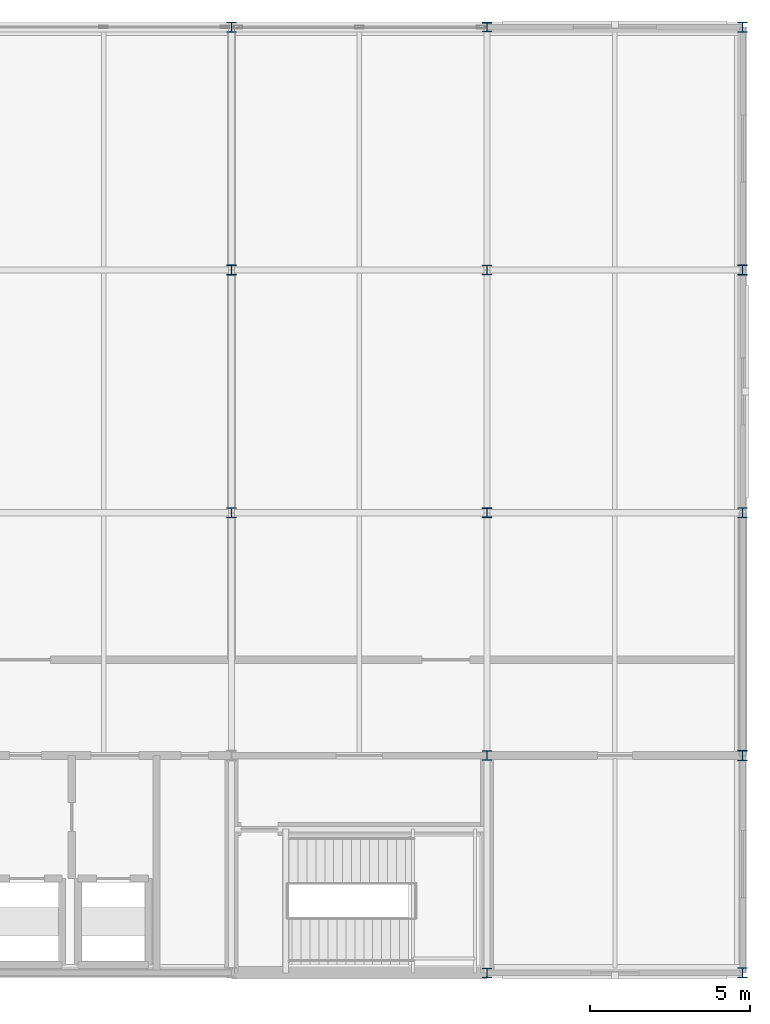
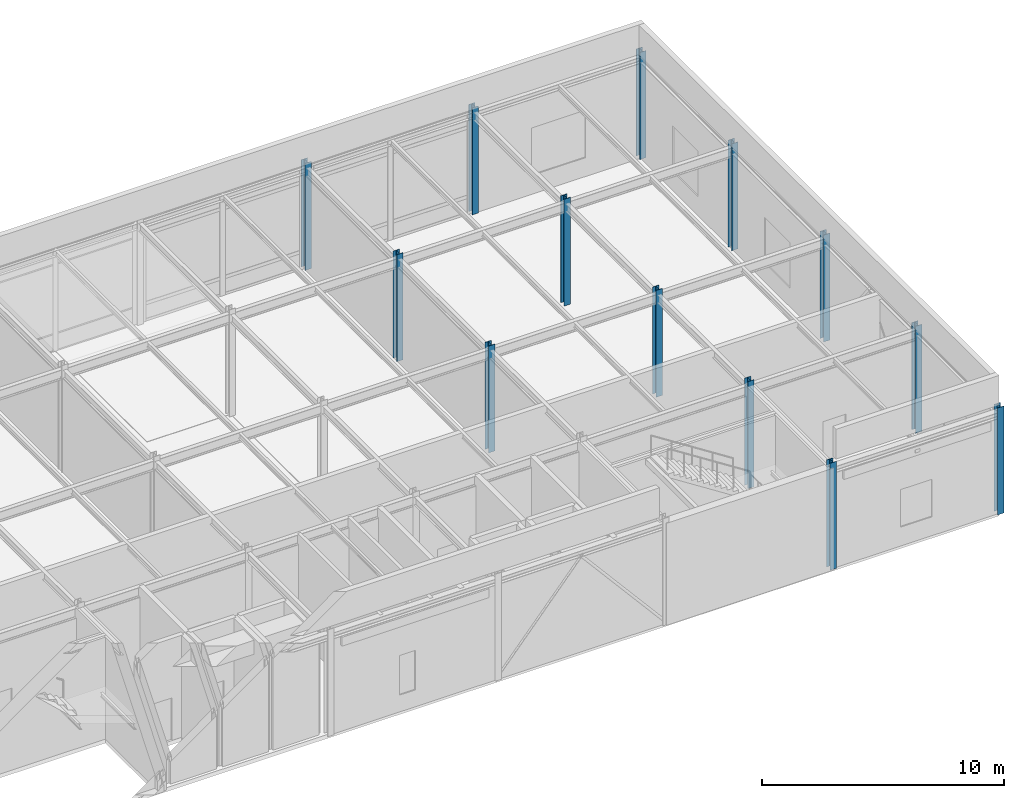
# One storey, part 2 of 12: 13 columns.
"""IFC4 building model written with IfcOpenShell, lengths in metres."""

from ifc_helpers import new_model, si_unit, direction, frame, origin, origin_2d, place, context, subcontext, project, spatial, i_section, extrude, material, material_profile, profile_set, type_object, element, save


model = new_model("IFC4")

# Units and contexts
model_context = context("Model", 3, precision=1e-05, world=origin(), true_north=direction((0.0, 1.0)))
body_context = subcontext(model_context, "Body", "Model", "MODEL_VIEW")
ifc_project = project(units=[si_unit("LENGTHUNIT", "METRE"), si_unit("AREAUNIT", "SQUARE_METRE"), si_unit("VOLUMEUNIT", "CUBIC_METRE"), si_unit("PLANEANGLEUNIT", "RADIAN"), si_unit("MASSUNIT", "GRAM", prefix="KILO")], contexts=[model_context])

# Site, building, storey
site_placement = place(None, origin())
site = spatial("IfcSite", under=ifc_project, at=site_placement, CompositionType="ELEMENT")
building_placement = place(site_placement, origin())
building = spatial("IfcBuilding", under=site, at=building_placement, Name="Shalkamar Park Central Library", CompositionType="ELEMENT")
storey_placement = place(building_placement, frame((0.0, 0.0, 72.300048828125)))
storey = spatial("IfcBuildingStorey", under=building, at=storey_placement, Name="L18", CompositionType="ELEMENT", Elevation=72.300048828125)

# Columns
ifc_material = material(Name="Steel S355", Category="steel")
ifc_material_profile_1 = material_profile(ifc_material, i_section(OverallWidth=0.300048828125, OverallDepth=0.300048828125, WebThickness=0.010986328125, FlangeThickness=0.01904296875, FilletRadius=0.027099609375, at=origin_2d()), Name="HEB 300")
ifc_profile_set_1 = profile_set([ifc_material_profile_1], Name="Steel S355")
column_type_1 = type_object("IfcColumnType", Name="Column Steel HEB300", PredefinedType="COLUMN", material=ifc_profile_set_1)
for number, where, z_axis, x_axis, name in (
    (1, (205.0, 248.39990234375, 0.0), (0.0, 0.0, 1.0), (1.0, 0.0, 0.0), "Column 12/B (L18)"),
    (2, (205.0, 255.199951171875, 0.0), (0.0, 0.0, 1.0), (1.0, 0.0, 0.0), "Column 12/C (L18)"),
    (3, (205.0, 262.800048828125, 0.0), (0.0, 0.0, 1.0), (1.0, 0.0, 0.0), "Column 12/D (L18)"),
    (4, (205.0, 270.39990234375, 0.0), (0.0, 0.0, 1.0), (1.0, 0.0, 0.0), "Column 12/E (L18)"),
    (5, (205.0, 278.0, 0.0), (0.0, 0.0, 1.0), (1.0, 0.0, 0.0), "Column 12/F (L18)"),
):
    element("IfcColumn", number, at=place(storey_placement, frame(where, z_axis=z_axis, x_axis=x_axis)), inside=storey, type_object=column_type_1, Name=name, PredefinedType="COLUMN", context=body_context, shape_type="SweptSolid", body=[
        extrude(i_section(OverallWidth=0.300048828125, OverallDepth=0.300048828125, WebThickness=0.010986328125, FlangeThickness=0.01904296875, FilletRadius=0.027099609375, at=origin_2d()), origin(), (0.0, 0.0, 1.0), 5.39990234375),
    ])
ifc_material_profile_2 = material_profile(ifc_material, i_section(OverallWidth=0.300048828125, OverallDepth=0.320068359375, WebThickness=0.011474609375, FlangeThickness=0.0205078125, FilletRadius=0.027099609375, at=origin_2d()), Name="HEB 320")
ifc_profile_set_2 = profile_set([ifc_material_profile_2], Name="Steel S355")
column_type_2 = type_object("IfcColumnType", Name="Column Steel HEB320", PredefinedType="COLUMN", material=ifc_profile_set_2)
for number, where, z_axis, x_axis, name in (
    (6, (197.0, 262.800048828125, 0.0), (0.0, 0.0, 1.0), (1.0, 0.0, 0.0), "Column 11/D (L18)"),
    (7, (197.0, 270.39990234375, 0.0), (0.0, 0.0, 1.0), (1.0, 0.0, 0.0), "Column 11/E (L18)"),
    (8, (197.0, 278.0, 0.0), (0.0, 0.0, 1.0), (1.0, 0.0, 0.0), "Column 11/F (L18)"),
    (9, (213.0, 248.39990234375, 0.0), (0.0, 0.0, 1.0), (1.0, 0.0, 0.0), "Column 13/B (L18)"),
    (10, (213.0, 255.199951171875, 0.0), (0.0, 0.0, 1.0), (1.0, 0.0, 0.0), "Column 13/C (L18)"),
    (11, (213.0, 262.800048828125, 0.0), (0.0, 0.0, 1.0), (1.0, 0.0, 0.0), "Column 13/D (L18)"),
    (12, (213.0, 270.39990234375, 0.0), (0.0, 0.0, 1.0), (1.0, 0.0, 0.0), "Column 13/E (L18)"),
    (13, (213.0, 278.0, 0.0), (0.0, 0.0, 1.0), (1.0, 0.0, 0.0), "Column 13/F (L18)"),
):
    element("IfcColumn", number, at=place(storey_placement, frame(where, z_axis=z_axis, x_axis=x_axis)), inside=storey, type_object=column_type_2, Name=name, PredefinedType="COLUMN", context=body_context, shape_type="SweptSolid", body=[
        extrude(i_section(OverallWidth=0.300048828125, OverallDepth=0.320068359375, WebThickness=0.011474609375, FlangeThickness=0.0205078125, FilletRadius=0.027099609375, at=origin_2d()), origin(), (0.0, 0.0, 1.0), 5.39990234375),
    ])

save(model, "model.ifc")
